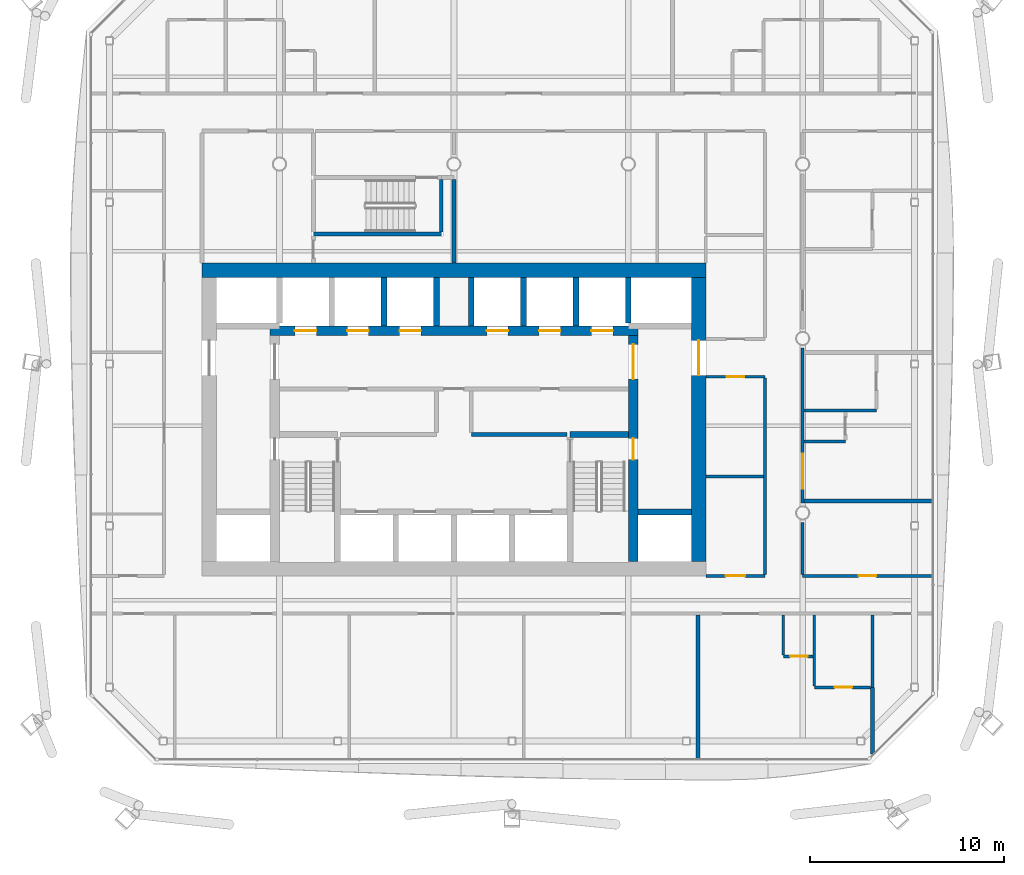
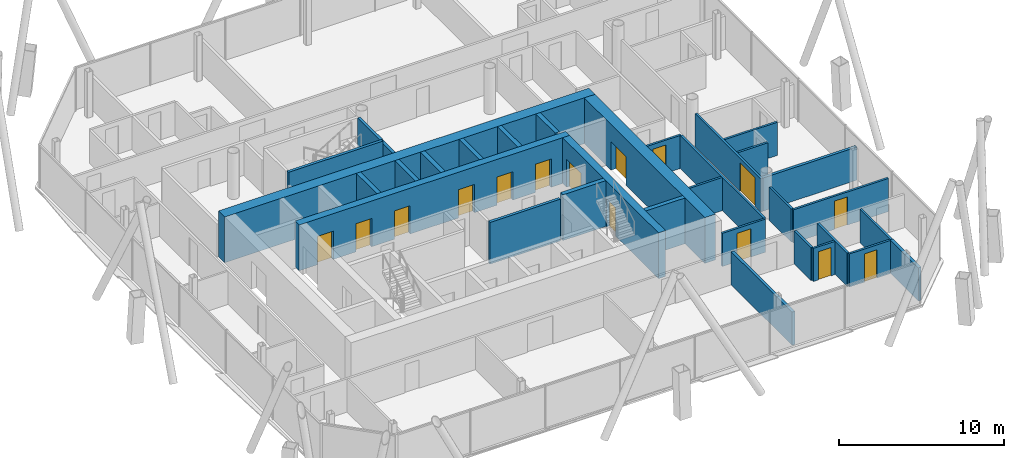
# One storey, part 15 of 20: 33 walls, 15 doors, 15 openings.
"""IFC4 building model written with IfcOpenShell, lengths in metres."""

from ifc_helpers import new_model, si_unit, direction, frame, frame_2d, origin, place, context, subcontext, project, spatial, rectangle, extrude, material, layer, layer_set, type_object, element, fill, save


model = new_model("IFC4")

# Units and contexts
model_context = context("Model", 3, precision=1e-05, world=origin(), true_north=direction((0.0, 1.0)))
body_context = subcontext(model_context, "Body", "Model", "MODEL_VIEW")
ifc_project = project(units=[si_unit("LENGTHUNIT", "METRE"), si_unit("AREAUNIT", "SQUARE_METRE"), si_unit("VOLUMEUNIT", "CUBIC_METRE"), si_unit("PLANEANGLEUNIT", "RADIAN"), si_unit("MASSUNIT", "GRAM", prefix="KILO")], contexts=[model_context])

# Site, building, storey
site_placement = place(None, origin())
site = spatial("IfcSite", under=ifc_project, at=site_placement, CompositionType="ELEMENT")
building_placement = place(site_placement, origin())
building = spatial("IfcBuilding", under=site, at=building_placement, Name="Tskaro Facet Tower", CompositionType="ELEMENT")
storey_placement = place(building_placement, frame((0.0, 0.0, 152.10009765625)))
storey = spatial("IfcBuildingStorey", under=building, at=storey_placement, Name="L37", CompositionType="ELEMENT", Elevation=152.10009765625)

# Walls
ifc_material_1 = material(Name="Concrete C60/75", Category="concrete")
ifc_layer_1 = layer(ifc_material_1, 0.300048828125, Name="Concrete C60/75")
ifc_layer_set_1 = layer_set([ifc_layer_1], Name="Concrete C60/75")
wall_type_1 = type_object("IfcWallType", Name="CORE-SHAFT", PredefinedType="SHEAR", material=ifc_layer_set_1)
wall_1_placement = place(storey_placement, frame((9.5, -8.949951171875, 0.0), z_axis=(0.0, 0.0, 1.0), x_axis=(1.0, 0.0, 0.0)))
element("IfcWall", 1, at=wall_1_placement, inside=storey, type_object=wall_type_1, Name="Shaft wall W010", PredefinedType="SHEAR", context=body_context, shape_type="SweptSolid", body=[
    extrude(rectangle(XDim=2.75, YDim=0.300048828125, at=frame_2d((1.375, 0.0))), origin(), (0.0, 0.0, 1.0), 3.39990234375),
])
wall_2_placement = place(storey_placement, frame((6.0, -4.949951171875, 0.0), z_axis=(0.0, 0.0, 1.0), x_axis=(1.0, 0.0, 0.0)))
element("IfcWall", 2, at=wall_2_placement, inside=storey, type_object=wall_type_1, Name="Shaft wall W017", PredefinedType="SHEAR", context=body_context, shape_type="SweptSolid", body=[
    extrude(rectangle(XDim=3.0, YDim=0.300048828125, at=frame_2d((1.5, 0.0))), origin(), (0.0, 0.0, 1.0), 3.39990234375),
])
for number, where, z_axis, x_axis, name in (
    (3, (-3.60009765625, 0.64990234375, 0.0), (0.0, 0.0, 1.0), (0.0, 1.0, 0.0), "Shaft wall W058"),
    (4, (-0.89990234375, 0.64990234375, 0.0), (0.0, 0.0, 1.0), (0.0, 1.0, 0.0), "Shaft wall W061"),
    (5, (0.89990234375, 0.64990234375, 0.0), (0.0, 0.0, 1.0), (0.0, 1.0, 0.0), "Shaft wall W067"),
    (6, (3.60009765625, 0.64990234375, 0.0), (0.0, 0.0, 1.0), (0.0, 1.0, 0.0), "Shaft wall W070"),
    (7, (6.300048828125, 0.64990234375, 0.0), (0.0, 0.0, 1.0), (0.0, 1.0, 0.0), "Shaft wall W072"),
):
    element("IfcWall", number, at=place(storey_placement, frame(where, z_axis=z_axis, x_axis=x_axis)), inside=storey, type_object=wall_type_1, Name=name, PredefinedType="SHEAR", context=body_context, shape_type="SweptSolid", body=[
        extrude(rectangle(XDim=2.5, YDim=0.300048828125, at=frame_2d((1.25, 0.0))), origin(), (0.0, 0.0, 1.0), 3.39990234375),
    ])
wall_3_placement = place(storey_placement, frame((9.0, 0.800048828125, 0.0), z_axis=(0.0, 0.0, 1.0), x_axis=(0.0, 1.0, 0.0)))
element("IfcWall", 8, at=wall_3_placement, inside=storey, type_object=wall_type_1, Name="Shaft wall W073", PredefinedType="SHEAR", context=body_context, shape_type="SweptSolid", body=[
    extrude(rectangle(XDim=2.349853515625, YDim=0.300048828125, at=frame_2d((1.1748046875, 0.0))), origin(), (0.0, 0.0, 1.0), 3.39990234375),
])
ifc_material_2 = material(Name="Concrete C20/25", Category="concrete")
ifc_layer_2 = layer(ifc_material_2, 0.199951171875, Name="Concrete C20/25")
ifc_layer_set_2 = layer_set([ifc_layer_2], Name="Concrete C20/25")
wall_type_2 = type_object("IfcWallType", Name="CORE-WALL", PredefinedType="SOLIDWALL", material=ifc_layer_set_2)
wall_4_placement = place(storey_placement, frame((0.89990234375, -4.949951171875, 0.0), z_axis=(0.0, 0.0, 1.0), x_axis=(1.0, 0.0, 0.0)))
element("IfcWall", 9, at=wall_4_placement, inside=storey, type_object=wall_type_2, Name="Core room wall W016", PredefinedType="SOLIDWALL", context=body_context, shape_type="SweptSolid", body=[
    extrude(rectangle(XDim=4.9501953125, YDim=0.199951171875, at=frame_2d((2.47509765625, 0.0))), origin(), (0.0, 0.0, 1.0), 3.099853515625),
])

# Wall, openings, doors
ifc_material_3 = material(Name="Concrete C40/50", Category="concrete")
ifc_layer_3 = layer(ifc_material_3, 0.5, Name="Concrete C40/50")
ifc_layer_set_3 = layer_set([ifc_layer_3], Name="Concrete C40/50")
wall_type_3 = type_object("IfcWallType", Name="Core wall 500", PredefinedType="SHEAR", material=ifc_layer_set_3)
wall_5_placement = place(storey_placement, frame((-9.5, 0.39990234375, 0.0), z_axis=(0.0, 0.0, 1.0), x_axis=(1.0, 0.0, 0.0)))
wall_5 = element("IfcWall", 10, at=wall_5_placement, inside=storey, type_object=wall_type_3, Name="Core wall CW-Z3N", PredefinedType="SHEAR", context=body_context, shape_type="SweptSolid", body=[
    extrude(rectangle(XDim=19.0, YDim=0.5, at=frame_2d((9.5, 0.0))), origin(), (0.0, 0.0, 1.0), 3.39990234375),
])
opening_1_placement = place(wall_5_placement, frame((1.300048828125, 0.0, 0.0)))
opening_1 = element("IfcOpeningElement", 11, at=opening_1_placement, cuts=wall_5, Name="Opening LD-MB1", PredefinedType="OPENING", context=body_context, shape_type="SweptSolid", body=[
    extrude(rectangle(XDim=1.10009765625, YDim=2.10009765625, at=frame_2d((0.550048828125, 1.050048828125))), frame((0.0, 0.260009765625, 0.0), z_axis=(0.0, -1.0, 0.0), x_axis=(1.0, 0.0, 0.0)), (0.0, 0.0, 1.0), 0.52001953125),
])
opening_2_placement = place(wall_5_placement, frame((4.0, 0.0, 0.0)))
opening_2 = element("IfcOpeningElement", 12, at=opening_2_placement, cuts=wall_5, Name="Opening LD-MB2", PredefinedType="OPENING", context=body_context, shape_type="SweptSolid", body=[
    extrude(rectangle(XDim=1.10009765625, YDim=2.10009765625, at=frame_2d((0.550048828125, 1.050048828125))), frame((0.0, 0.260009765625, 0.0), z_axis=(0.0, -1.0, 0.0), x_axis=(1.0, 0.0, 0.0)), (0.0, 0.0, 1.0), 0.52001953125),
])
opening_3_placement = place(wall_5_placement, frame((6.699951171875, 0.0, 0.0)))
opening_3 = element("IfcOpeningElement", 13, at=opening_3_placement, cuts=wall_5, Name="Opening LD-MB3", PredefinedType="OPENING", context=body_context, shape_type="SweptSolid", body=[
    extrude(rectangle(XDim=1.10009765625, YDim=2.10009765625, at=frame_2d((0.550048828125, 1.050048828125))), frame((0.0, 0.260009765625, 0.0), z_axis=(0.0, -1.0, 0.0), x_axis=(1.0, 0.0, 0.0)), (0.0, 0.0, 1.0), 0.52001953125),
])
opening_4_placement = place(wall_5_placement, frame((11.199951171875, 0.0, 0.0)))
opening_4 = element("IfcOpeningElement", 14, at=opening_4_placement, cuts=wall_5, Name="Opening LD-MB4", PredefinedType="OPENING", context=body_context, shape_type="SweptSolid", body=[
    extrude(rectangle(XDim=1.10009765625, YDim=2.10009765625, at=frame_2d((0.550048828125, 1.050048828125))), frame((0.0, 0.260009765625, 0.0), z_axis=(0.0, -1.0, 0.0), x_axis=(1.0, 0.0, 0.0)), (0.0, 0.0, 1.0), 0.52001953125),
])
opening_5_placement = place(wall_5_placement, frame((13.89990234375, 0.0, 0.0)))
opening_5 = element("IfcOpeningElement", 15, at=opening_5_placement, cuts=wall_5, Name="Opening LD-MB5", PredefinedType="OPENING", context=body_context, shape_type="SweptSolid", body=[
    extrude(rectangle(XDim=1.10009765625, YDim=2.10009765625, at=frame_2d((0.550048828125, 1.050048828125))), frame((0.0, 0.260009765625, 0.0), z_axis=(0.0, -1.0, 0.0), x_axis=(1.0, 0.0, 0.0)), (0.0, 0.0, 1.0), 0.52001953125),
])
opening_6_placement = place(wall_5_placement, frame((16.60009765625, 0.0, 0.0)))
opening_6 = element("IfcOpeningElement", 16, at=opening_6_placement, cuts=wall_5, Name="Opening LD-MB6", PredefinedType="OPENING", context=body_context, shape_type="SweptSolid", body=[
    extrude(rectangle(XDim=1.10009765625, YDim=2.10009765625, at=frame_2d((0.550048828125, 1.050048828125))), frame((0.0, 0.260009765625, 0.0), z_axis=(0.0, -1.0, 0.0), x_axis=(1.0, 0.0, 0.0)), (0.0, 0.0, 1.0), 0.52001953125),
])
ifc_material_4 = material(Name="Stainless steel", Category="steel")
door_type_1 = type_object("IfcDoorType", Name="D-LANDING", OperationType="NOTDEFINED", PredefinedType="DOOR", material=ifc_material_4)
door_1_placement = place(opening_1_placement, origin())
door_1 = element("IfcDoor", 17, at=door_1_placement, inside=storey, type_object=door_type_1, Name="Landing door MB1", OperationType="DOUBLE_DOOR_SLIDING", OverallHeight=2.10009765625, OverallWidth=1.10009765625, PredefinedType="DOOR", context=body_context, shape_type="SweptSolid", body=[
    extrude(rectangle(XDim=1.10009765625, YDim=2.10009765625, at=frame_2d((0.550048828125, 1.050048828125))), frame((0.0, 0.02490234375, 0.0), z_axis=(0.0, -1.0, 0.0), x_axis=(1.0, 0.0, 0.0)), (0.0, 0.0, 1.0), 0.050048828125),
])
fill(opening_1, door_1)
door_2_placement = place(opening_2_placement, origin())
door_2 = element("IfcDoor", 18, at=door_2_placement, inside=storey, type_object=door_type_1, Name="Landing door MB2", OperationType="DOUBLE_DOOR_SLIDING", OverallHeight=2.10009765625, OverallWidth=1.10009765625, PredefinedType="DOOR", context=body_context, shape_type="SweptSolid", body=[
    extrude(rectangle(XDim=1.10009765625, YDim=2.10009765625, at=frame_2d((0.550048828125, 1.050048828125))), frame((0.0, 0.02490234375, 0.0), z_axis=(0.0, -1.0, 0.0), x_axis=(1.0, 0.0, 0.0)), (0.0, 0.0, 1.0), 0.050048828125),
])
fill(opening_2, door_2)
door_3_placement = place(opening_3_placement, origin())
door_3 = element("IfcDoor", 19, at=door_3_placement, inside=storey, type_object=door_type_1, Name="Landing door MB3", OperationType="DOUBLE_DOOR_SLIDING", OverallHeight=2.10009765625, OverallWidth=1.10009765625, PredefinedType="DOOR", context=body_context, shape_type="SweptSolid", body=[
    extrude(rectangle(XDim=1.10009765625, YDim=2.10009765625, at=frame_2d((0.550048828125, 1.050048828125))), frame((0.0, 0.02490234375, 0.0), z_axis=(0.0, -1.0, 0.0), x_axis=(1.0, 0.0, 0.0)), (0.0, 0.0, 1.0), 0.050048828125),
])
fill(opening_3, door_3)
door_4_placement = place(opening_4_placement, origin())
door_4 = element("IfcDoor", 20, at=door_4_placement, inside=storey, type_object=door_type_1, Name="Landing door MB4", OperationType="DOUBLE_DOOR_SLIDING", OverallHeight=2.10009765625, OverallWidth=1.10009765625, PredefinedType="DOOR", context=body_context, shape_type="SweptSolid", body=[
    extrude(rectangle(XDim=1.10009765625, YDim=2.10009765625, at=frame_2d((0.550048828125, 1.050048828125))), frame((0.0, 0.02490234375, 0.0), z_axis=(0.0, -1.0, 0.0), x_axis=(1.0, 0.0, 0.0)), (0.0, 0.0, 1.0), 0.050048828125),
])
fill(opening_4, door_4)
door_5_placement = place(opening_5_placement, origin())
door_5 = element("IfcDoor", 21, at=door_5_placement, inside=storey, type_object=door_type_1, Name="Landing door MB5", OperationType="DOUBLE_DOOR_SLIDING", OverallHeight=2.10009765625, OverallWidth=1.10009765625, PredefinedType="DOOR", context=body_context, shape_type="SweptSolid", body=[
    extrude(rectangle(XDim=1.10009765625, YDim=2.10009765625, at=frame_2d((0.550048828125, 1.050048828125))), frame((0.0, 0.02490234375, 0.0), z_axis=(0.0, -1.0, 0.0), x_axis=(1.0, 0.0, 0.0)), (0.0, 0.0, 1.0), 0.050048828125),
])
fill(opening_5, door_5)
door_6_placement = place(opening_6_placement, origin())
door_6 = element("IfcDoor", 22, at=door_6_placement, inside=storey, type_object=door_type_1, Name="Landing door MB6", OperationType="DOUBLE_DOOR_SLIDING", OverallHeight=2.10009765625, OverallWidth=1.10009765625, PredefinedType="DOOR", context=body_context, shape_type="SweptSolid", body=[
    extrude(rectangle(XDim=1.10009765625, YDim=2.10009765625, at=frame_2d((0.550048828125, 1.050048828125))), frame((0.0, 0.02490234375, 0.0), z_axis=(0.0, -1.0, 0.0), x_axis=(1.0, 0.0, 0.0)), (0.0, 0.0, 1.0), 0.050048828125),
])
fill(opening_6, door_6)

wall_6_placement = place(storey_placement, frame((9.25, -11.5, 0.0), z_axis=(0.0, 0.0, 1.0), x_axis=(0.0, 1.0, 0.0)))
wall_6 = element("IfcWall", 23, at=wall_6_placement, inside=storey, type_object=wall_type_3, Name="Core wall CW-Z3E", PredefinedType="SHEAR", context=body_context, shape_type="SweptSolid", body=[
    extrude(rectangle(XDim=11.64990234375, YDim=0.5, at=frame_2d((5.824951171875, 0.0))), origin(), (0.0, 0.0, 1.0), 3.39990234375),
])
opening_7_placement = place(wall_6_placement, frame((9.39990234375, 0.0, 0.0)))
opening_7 = element("IfcOpeningElement", 24, at=opening_7_placement, cuts=wall_6, Name="Opening T11-D22", PredefinedType="OPENING", context=body_context, shape_type="SweptSolid", body=[
    extrude(rectangle(XDim=1.800048828125, YDim=2.10009765625, at=frame_2d((0.89990234375, 1.050048828125))), frame((0.0, 0.260009765625, 0.0), z_axis=(0.0, -1.0, 0.0), x_axis=(1.0, 0.0, 0.0)), (0.0, 0.0, 1.0), 0.52001953125),
])
opening_8_placement = place(wall_6_placement, frame((5.25, 0.0, 0.0)))
opening_8 = element("IfcOpeningElement", 25, at=opening_8_placement, cuts=wall_6, Name="Opening ST-2-D2", PredefinedType="OPENING", context=body_context, shape_type="SweptSolid", body=[
    extrude(rectangle(XDim=1.10009765625, YDim=2.10009765625, at=frame_2d((0.550048828125, 1.050048828125))), frame((0.0, 0.260009765625, 0.0), z_axis=(0.0, -1.0, 0.0), x_axis=(1.0, 0.0, 0.0)), (0.0, 0.0, 1.0), 0.52001953125),
])
ifc_material_5 = material(Name="Steel", Category="steel")
door_type_2 = type_object("IfcDoorType", Name="D-CORE-PAIR", OperationType="NOTDEFINED", PredefinedType="DOOR", material=ifc_material_5)
door_7_placement = place(opening_7_placement, origin())
door_7 = element("IfcDoor", 26, at=door_7_placement, inside=storey, type_object=door_type_2, Name="Door T11-D22", OperationType="DOUBLE_DOOR_SINGLE_SWING", OverallHeight=2.10009765625, OverallWidth=1.800048828125, PredefinedType="DOOR", context=body_context, shape_type="SweptSolid", body=[
    extrude(rectangle(XDim=1.800048828125, YDim=2.10009765625, at=frame_2d((0.89990234375, 1.050048828125))), frame((0.0, 0.02490234375, 0.0), z_axis=(0.0, -1.0, 0.0), x_axis=(1.0, 0.0, 0.0)), (0.0, 0.0, 1.0), 0.050048828125),
])
fill(opening_7, door_7)
door_type_3 = type_object("IfcDoorType", Name="D-STAIR", OperationType="NOTDEFINED", PredefinedType="DOOR", material=ifc_material_5)
door_8_placement = place(opening_8_placement, origin())
door_8 = element("IfcDoor", 27, at=door_8_placement, inside=storey, type_object=door_type_3, Name="Stair door 2 east", OperationType="SINGLE_SWING_LEFT", OverallHeight=2.10009765625, OverallWidth=1.10009765625, PredefinedType="DOOR", context=body_context, shape_type="SweptSolid", body=[
    extrude(rectangle(XDim=1.10009765625, YDim=2.10009765625, at=frame_2d((0.550048828125, 1.050048828125))), frame((0.0, 0.02490234375, 0.0), z_axis=(0.0, -1.0, 0.0), x_axis=(1.0, 0.0, 0.0)), (0.0, 0.0, 1.0), 0.050048828125),
])
fill(opening_8, door_8)

# Wall
ifc_material_6 = material(Name="Concrete C50/60", Category="concrete")
ifc_layer_4 = layer(ifc_material_6, 0.75, Name="Concrete C50/60")
ifc_layer_set_4 = layer_set([ifc_layer_4], Name="Concrete C50/60")
wall_type_4 = type_object("IfcWallType", Name="Core wall 750", PredefinedType="SHEAR", material=ifc_layer_set_4)
wall_7_placement = place(storey_placement, frame((-13.0, 3.52490234375, 0.0), z_axis=(0.0, 0.0, 1.0), x_axis=(1.0, 0.0, 0.0)))
element("IfcWall", 28, at=wall_7_placement, inside=storey, type_object=wall_type_4, Name="Core wall CW-Z2N", PredefinedType="SHEAR", context=body_context, shape_type="SweptSolid", body=[
    extrude(rectangle(XDim=26.0, YDim=0.75, at=frame_2d((13.0, 0.0))), origin(), (0.0, 0.0, 1.0), 3.39990234375),
])

# Wall, opening, door
wall_8_placement = place(storey_placement, frame((12.625, -11.5, 0.0), z_axis=(0.0, 0.0, 1.0), x_axis=(0.0, 1.0, 0.0)))
wall_8 = element("IfcWall", 29, at=wall_8_placement, inside=storey, type_object=wall_type_4, Name="Core wall CW-Z2E", PredefinedType="SHEAR", context=body_context, shape_type="SweptSolid", body=[
    extrude(rectangle(XDim=14.64990234375, YDim=0.75, at=frame_2d((7.324951171875, 0.0))), origin(), (0.0, 0.0, 1.0), 3.39990234375),
])
opening_9_placement = place(wall_8_placement, frame((9.60009765625, 0.0, 0.0)))
opening_9 = element("IfcOpeningElement", 30, at=opening_9_placement, cuts=wall_8, Name="Opening T11-D24", PredefinedType="OPENING", context=body_context, shape_type="SweptSolid", body=[
    extrude(rectangle(XDim=1.800048828125, YDim=2.10009765625, at=frame_2d((0.89990234375, 1.050048828125))), frame((0.0, 0.385009765625, 0.0), z_axis=(0.0, -1.0, 0.0), x_axis=(1.0, 0.0, 0.0)), (0.0, 0.0, 1.0), 0.77001953125),
])
door_9_placement = place(opening_9_placement, origin())
door_9 = element("IfcDoor", 31, at=door_9_placement, inside=storey, type_object=door_type_2, Name="Door T11-D24", OperationType="DOUBLE_DOOR_SINGLE_SWING", OverallHeight=2.10009765625, OverallWidth=1.800048828125, PredefinedType="DOOR", context=body_context, shape_type="SweptSolid", body=[
    extrude(rectangle(XDim=1.800048828125, YDim=2.10009765625, at=frame_2d((0.89990234375, 1.050048828125))), frame((0.0, 0.02490234375, 0.0), z_axis=(0.0, -1.0, 0.0), x_axis=(1.0, 0.0, 0.0)), (0.0, 0.0, 1.0), 0.050048828125),
])
fill(opening_9, door_9)

ifc_material_7 = material(Name="Gypsum board on steel studs", Category="steel")
ifc_layer_5 = layer(ifc_material_7, 0.14990234375, Name="Gypsum board on steel studs")
ifc_layer_set_5 = layer_set([ifc_layer_5], Name="Gypsum board on steel studs")
wall_type_5 = type_object("IfcWallType", Name="PART-CORR", PredefinedType="PARTITIONING", material=ifc_layer_set_5)
wall_9_placement = place(storey_placement, frame((18.59912109375, -18.0, 0.0), z_axis=(0.0, 0.0, 1.0), x_axis=(1.0, 0.0, 0.0)))
wall_9 = element("IfcWall", 32, at=wall_9_placement, inside=storey, type_object=wall_type_5, Name="Corridor wall W001", PredefinedType="PARTITIONING", context=body_context, shape_type="SweptSolid", body=[
    extrude(rectangle(XDim=2.89990234375, YDim=0.14990234375, at=frame_2d((1.449951171875, 0.0))), origin(), (0.0, 0.0, 1.0), 2.4599609375),
])
opening_10_placement = place(wall_9_placement, frame((1.050048828125, 0.0, 0.0)))
opening_10 = element("IfcOpeningElement", 33, at=opening_10_placement, cuts=wall_9, Name="Opening T11-D01", PredefinedType="OPENING", context=body_context, shape_type="SweptSolid", body=[
    extrude(rectangle(XDim=0.89990234375, YDim=2.10009765625, at=frame_2d((0.449951171875, 1.050048828125))), frame((0.0, 0.0849609375, 0.0), z_axis=(0.0, -1.0, 0.0), x_axis=(1.0, 0.0, 0.0)), (0.0, 0.0, 1.0), 0.169921875),
])
ifc_material_8 = material(Name="Timber", Category="wood")
door_type_4 = type_object("IfcDoorType", Name="D-ROOM", OperationType="NOTDEFINED", PredefinedType="DOOR", material=ifc_material_8)
door_10_placement = place(opening_10_placement, origin())
door_10 = element("IfcDoor", 34, at=door_10_placement, inside=storey, type_object=door_type_4, Name="Door T11-D01", OperationType="SINGLE_SWING_LEFT", OverallHeight=2.10009765625, OverallWidth=0.89990234375, PredefinedType="DOOR", context=body_context, shape_type="SweptSolid", body=[
    extrude(rectangle(XDim=0.89990234375, YDim=2.10009765625, at=frame_2d((0.449951171875, 1.050048828125))), frame((0.0, 0.02490234375, 0.0), z_axis=(0.0, -1.0, 0.0), x_axis=(1.0, 0.0, 0.0)), (0.0, 0.0, 1.0), 0.050048828125),
])
fill(opening_10, door_10)

wall_10_placement = place(storey_placement, frame((16.9990234375, -16.39990234375, 0.0), z_axis=(0.0, 0.0, 1.0), x_axis=(1.0, 0.0, 0.0)))
wall_10 = element("IfcWall", 35, at=wall_10_placement, inside=storey, type_object=wall_type_5, Name="Corridor wall W002", PredefinedType="PARTITIONING", context=body_context, shape_type="SweptSolid", body=[
    extrude(rectangle(XDim=1.52490234375, YDim=0.14990234375, at=frame_2d((0.762451171875, 0.0))), origin(), (0.0, 0.0, 1.0), 2.4599609375),
])
opening_11_placement = place(wall_10_placement, frame((0.35009765625, 0.0, 0.0)))
opening_11 = element("IfcOpeningElement", 36, at=opening_11_placement, cuts=wall_10, Name="Opening T11-D02", PredefinedType="OPENING", context=body_context, shape_type="SweptSolid", body=[
    extrude(rectangle(XDim=0.89990234375, YDim=2.10009765625, at=frame_2d((0.449951171875, 1.050048828125))), frame((0.0, 0.0849609375, 0.0), z_axis=(0.0, -1.0, 0.0), x_axis=(1.0, 0.0, 0.0)), (0.0, 0.0, 1.0), 0.169921875),
])
door_11_placement = place(opening_11_placement, origin())
door_11 = element("IfcDoor", 37, at=door_11_placement, inside=storey, type_object=door_type_4, Name="Door T11-D02", OperationType="SINGLE_SWING_LEFT", OverallHeight=2.10009765625, OverallWidth=0.89990234375, PredefinedType="DOOR", context=body_context, shape_type="SweptSolid", body=[
    extrude(rectangle(XDim=0.89990234375, YDim=2.10009765625, at=frame_2d((0.449951171875, 1.050048828125))), frame((0.0, 0.02490234375, 0.0), z_axis=(0.0, -1.0, 0.0), x_axis=(1.0, 0.0, 0.0)), (0.0, 0.0, 1.0), 0.050048828125),
])
fill(opening_11, door_11)

wall_11_placement = place(storey_placement, frame((13.0, -12.25, 0.0), z_axis=(0.0, 0.0, 1.0), x_axis=(1.0, 0.0, 0.0)))
wall_11 = element("IfcWall", 38, at=wall_11_placement, inside=storey, type_object=wall_type_5, Name="Corridor wall W005", PredefinedType="PARTITIONING", context=body_context, shape_type="SweptSolid", body=[
    extrude(rectangle(XDim=3.050048828125, YDim=0.14990234375, at=frame_2d((1.52490234375, 0.0))), origin(), (0.0, 0.0, 1.0), 2.4599609375),
])
opening_12_placement = place(wall_11_placement, frame((1.02490234375, 0.0, 0.0)))
opening_12 = element("IfcOpeningElement", 39, at=opening_12_placement, cuts=wall_11, Name="Opening T11-D10", PredefinedType="OPENING", context=body_context, shape_type="SweptSolid", body=[
    extrude(rectangle(XDim=1.0, YDim=2.10009765625, at=frame_2d((0.5, 1.050048828125))), frame((0.0, 0.0849609375, 0.0), z_axis=(0.0, -1.0, 0.0), x_axis=(1.0, 0.0, 0.0)), (0.0, 0.0, 1.0), 0.169921875),
])
door_type_5 = type_object("IfcDoorType", Name="D-ROOM-WIDE", OperationType="NOTDEFINED", PredefinedType="DOOR", material=ifc_material_8)
door_12_placement = place(opening_12_placement, origin())
door_12 = element("IfcDoor", 40, at=door_12_placement, inside=storey, type_object=door_type_5, Name="Door T11-D10", OperationType="SINGLE_SWING_LEFT", OverallHeight=2.10009765625, OverallWidth=1.0, PredefinedType="DOOR", context=body_context, shape_type="SweptSolid", body=[
    extrude(rectangle(XDim=1.0, YDim=2.10009765625, at=frame_2d((0.5, 1.050048828125))), frame((0.0, 0.02490234375, 0.0), z_axis=(0.0, -1.0, 0.0), x_axis=(1.0, 0.0, 0.0)), (0.0, 0.0, 1.0), 0.050048828125),
])
fill(opening_12, door_12)

wall_12_placement = place(storey_placement, frame((18.0, -12.25, 0.0), z_axis=(0.0, 0.0, 1.0), x_axis=(1.0, 0.0, 0.0)))
wall_12 = element("IfcWall", 41, at=wall_12_placement, inside=storey, type_object=wall_type_5, Name="Corridor wall W006", PredefinedType="PARTITIONING", context=body_context, shape_type="SweptSolid", body=[
    extrude(rectangle(XDim=6.674072265625, YDim=0.14990234375, at=frame_2d((3.3369140625, 0.0))), origin(), (0.0, 0.0, 1.0), 2.4599609375),
])
opening_13_placement = place(wall_12_placement, frame((2.886962890625, 0.0, 0.0)))
opening_13 = element("IfcOpeningElement", 42, at=opening_13_placement, cuts=wall_12, Name="Opening T11-D11", PredefinedType="OPENING", context=body_context, shape_type="SweptSolid", body=[
    extrude(rectangle(XDim=0.89990234375, YDim=2.10009765625, at=frame_2d((0.449951171875, 1.050048828125))), frame((0.0, 0.0849609375, 0.0), z_axis=(0.0, -1.0, 0.0), x_axis=(1.0, 0.0, 0.0)), (0.0, 0.0, 1.0), 0.169921875),
])
door_13_placement = place(opening_13_placement, origin())
door_13 = element("IfcDoor", 43, at=door_13_placement, inside=storey, type_object=door_type_4, Name="Door T11-D11", OperationType="SINGLE_SWING_LEFT", OverallHeight=2.10009765625, OverallWidth=0.89990234375, PredefinedType="DOOR", context=body_context, shape_type="SweptSolid", body=[
    extrude(rectangle(XDim=0.89990234375, YDim=2.10009765625, at=frame_2d((0.449951171875, 1.050048828125))), frame((0.0, 0.02490234375, 0.0), z_axis=(0.0, -1.0, 0.0), x_axis=(1.0, 0.0, 0.0)), (0.0, 0.0, 1.0), 0.050048828125),
])
fill(opening_13, door_13)

# Walls
wall_13_placement = place(storey_placement, frame((13.0, -7.112060546875, 0.0), z_axis=(0.0, 0.0, 1.0), x_axis=(1.0, 0.0, 0.0)))
element("IfcWall", 44, at=wall_13_placement, inside=storey, type_object=wall_type_5, Name="Corridor wall W012", PredefinedType="PARTITIONING", context=body_context, shape_type="SweptSolid", body=[
    extrude(rectangle(XDim=2.97509765625, YDim=0.14990234375, at=frame_2d((1.487548828125, 0.0))), origin(), (0.0, 0.0, 1.0), 2.4599609375),
])
wall_14_placement = place(storey_placement, frame((18.074951171875, -5.31591796875, 0.0), z_axis=(0.0, 0.0, 1.0), x_axis=(1.0, 0.0, 0.0)))
element("IfcWall", 45, at=wall_14_placement, inside=storey, type_object=wall_type_5, Name="Corridor wall W013", PredefinedType="PARTITIONING", context=body_context, shape_type="SweptSolid", body=[
    extrude(rectangle(XDim=2.125, YDim=0.14990234375, at=frame_2d((1.0625, 0.0))), origin(), (0.0, 0.0, 1.0), 2.4599609375),
])
wall_15_placement = place(storey_placement, frame((18.074951171875, -3.716064453125, 0.0), z_axis=(0.0, 0.0, 1.0), x_axis=(1.0, 0.0, 0.0)))
element("IfcWall", 46, at=wall_15_placement, inside=storey, type_object=wall_type_5, Name="Corridor wall W018", PredefinedType="PARTITIONING", context=body_context, shape_type="SweptSolid", body=[
    extrude(rectangle(XDim=3.72509765625, YDim=0.14990234375, at=frame_2d((1.862548828125, 0.0))), origin(), (0.0, 0.0, 1.0), 2.4599609375),
])

# Wall, opening, door
wall_16_placement = place(storey_placement, frame((16.050048828125, -1.97509765625, 0.0), z_axis=(0.0, 0.0, 1.0), x_axis=(-1.0, 0.0, 0.0)))
wall_16 = element("IfcWall", 47, at=wall_16_placement, inside=storey, type_object=wall_type_5, Name="Corridor wall W020", PredefinedType="PARTITIONING", context=body_context, shape_type="SweptSolid", body=[
    extrude(rectangle(XDim=3.050048828125, YDim=0.14990234375, at=frame_2d((1.52490234375, 0.0))), origin(), (0.0, 0.0, 1.0), 2.4599609375),
])
opening_14_placement = place(wall_16_placement, frame((1.074951171875, 0.0, 0.0)))
opening_14 = element("IfcOpeningElement", 48, at=opening_14_placement, cuts=wall_16, Name="Opening T11-D20", PredefinedType="OPENING", context=body_context, shape_type="SweptSolid", body=[
    extrude(rectangle(XDim=0.89990234375, YDim=2.10009765625, at=frame_2d((0.449951171875, 1.050048828125))), frame((0.0, 0.0849609375, 0.0), z_axis=(0.0, -1.0, 0.0), x_axis=(1.0, 0.0, 0.0)), (0.0, 0.0, 1.0), 0.169921875),
])
door_14_placement = place(opening_14_placement, origin())
door_14 = element("IfcDoor", 49, at=door_14_placement, inside=storey, type_object=door_type_4, Name="Door T11-D20", OperationType="SINGLE_SWING_RIGHT", OverallHeight=2.10009765625, OverallWidth=0.89990234375, PredefinedType="DOOR", context=body_context, shape_type="SweptSolid", body=[
    extrude(rectangle(XDim=0.89990234375, YDim=2.10009765625, at=frame_2d((0.449951171875, 1.050048828125))), frame((0.0, 0.02490234375, 0.0), z_axis=(0.0, -1.0, 0.0), x_axis=(1.0, 0.0, 0.0)), (0.0, 0.0, 1.0), 0.050048828125),
])
fill(opening_14, door_14)

# Walls
wall_17_placement = place(storey_placement, frame((16.050048828125, -12.175048828125, 0.0), z_axis=(0.0, 0.0, 1.0), x_axis=(0.0, 1.0, 0.0)))
element("IfcWall", 50, at=wall_17_placement, inside=storey, type_object=wall_type_5, Name="Corridor wall W081", PredefinedType="PARTITIONING", context=body_context, shape_type="SweptSolid", body=[
    extrude(rectangle(XDim=10.125, YDim=0.14990234375, at=frame_2d((5.0625, 0.0))), origin(), (0.0, 0.0, 1.0), 2.4599609375),
])
wall_18_placement = place(storey_placement, frame((16.9990234375, -16.324951171875, 0.0), z_axis=(0.0, 0.0, 1.0), x_axis=(0.0, 1.0, 0.0)))
element("IfcWall", 51, at=wall_18_placement, inside=storey, type_object=wall_type_5, Name="Corridor wall W083", PredefinedType="PARTITIONING", context=body_context, shape_type="SweptSolid", body=[
    extrude(rectangle(XDim=2.050048828125, YDim=0.14990234375, at=frame_2d((1.02490234375, 0.0))), origin(), (0.0, 0.0, 1.0), 2.4599609375),
])
wall_19_placement = place(storey_placement, frame((18.0, -12.175048828125, 0.0), z_axis=(0.0, 0.0, 1.0), x_axis=(0.0, 1.0, 0.0)))
element("IfcWall", 52, at=wall_19_placement, inside=storey, type_object=wall_type_5, Name="Corridor wall W084", PredefinedType="PARTITIONING", context=body_context, shape_type="SweptSolid", body=[
    extrude(rectangle(XDim=2.675048828125, YDim=0.14990234375, at=frame_2d((1.33740234375, 0.0))), origin(), (0.0, 0.0, 1.0), 2.4599609375),
])

# Wall, opening, door
wall_20_placement = place(storey_placement, frame((18.0, -0.5, 0.0), z_axis=(0.0, 0.0, 1.0), x_axis=(0.0, -1.0, 0.0)))
wall_20 = element("IfcWall", 53, at=wall_20_placement, inside=storey, type_object=wall_type_5, Name="Corridor wall W085", PredefinedType="PARTITIONING", context=body_context, shape_type="SweptSolid", body=[
    extrude(rectangle(XDim=8.0, YDim=0.14990234375, at=frame_2d((4.0, 0.0))), origin(), (0.0, 0.0, 1.0), 2.4599609375),
])
opening_15_placement = place(wall_20_placement, frame((5.447998046875, 0.0, 0.0)))
opening_15 = element("IfcOpeningElement", 54, at=opening_15_placement, cuts=wall_20, Name="Opening T11-D14", PredefinedType="OPENING", context=body_context, shape_type="SweptSolid", body=[
    extrude(rectangle(XDim=1.800048828125, YDim=2.10009765625, at=frame_2d((0.89990234375, 1.050048828125))), frame((0.0, 0.0849609375, 0.0), z_axis=(0.0, -1.0, 0.0), x_axis=(1.0, 0.0, 0.0)), (0.0, 0.0, 1.0), 0.169921875),
])
door_type_6 = type_object("IfcDoorType", Name="D-SUITE-PAIR", OperationType="NOTDEFINED", PredefinedType="DOOR", material=ifc_material_8)
door_15_placement = place(opening_15_placement, origin())
door_15 = element("IfcDoor", 55, at=door_15_placement, inside=storey, type_object=door_type_6, Name="Door T11-D14", OperationType="DOUBLE_DOOR_SINGLE_SWING", OverallHeight=2.10009765625, OverallWidth=1.800048828125, PredefinedType="DOOR", context=body_context, shape_type="SweptSolid", body=[
    extrude(rectangle(XDim=1.800048828125, YDim=2.10009765625, at=frame_2d((0.89990234375, 1.050048828125))), frame((0.0, 0.02490234375, 0.0), z_axis=(0.0, -1.0, 0.0), x_axis=(1.0, 0.0, 0.0)), (0.0, 0.0, 1.0), 0.050048828125),
])
fill(opening_15, door_15)

# Walls
wall_21_placement = place(storey_placement, frame((18.59912109375, -17.925048828125, 0.0), z_axis=(0.0, 0.0, 1.0), x_axis=(0.0, 1.0, 0.0)))
element("IfcWall", 56, at=wall_21_placement, inside=storey, type_object=wall_type_5, Name="Corridor wall W088", PredefinedType="PARTITIONING", context=body_context, shape_type="SweptSolid", body=[
    extrude(rectangle(XDim=3.650146484375, YDim=0.14990234375, at=frame_2d((1.8251953125, 0.0))), origin(), (0.0, 0.0, 1.0), 2.4599609375),
])
wall_22_placement = place(storey_placement, frame((21.59912109375, -18.0, 0.0), z_axis=(0.0, 0.0, 1.0), x_axis=(0.0, 1.0, 0.0)))
element("IfcWall", 57, at=wall_22_placement, inside=storey, type_object=wall_type_5, Name="Corridor wall W092", PredefinedType="PARTITIONING", context=body_context, shape_type="SweptSolid", body=[
    extrude(rectangle(XDim=3.72509765625, YDim=0.14990234375, at=frame_2d((1.862548828125, 0.0))), origin(), (0.0, 0.0, 1.0), 2.4599609375),
])
ifc_layer_6 = layer(ifc_material_7, 0.199951171875, Name="Gypsum board on steel studs")
ifc_layer_set_6 = layer_set([ifc_layer_6], Name="Gypsum board on steel studs")
wall_type_6 = type_object("IfcWallType", Name="PART-DEMISING", PredefinedType="PARTITIONING", material=ifc_layer_set_6)
wall_23_placement = place(storey_placement, frame((18.074951171875, -8.3798828125, 0.0), z_axis=(0.0, 0.0, 1.0), x_axis=(1.0, 0.0, 0.0)))
element("IfcWall", 58, at=wall_23_placement, inside=storey, type_object=wall_type_6, Name="Guest room wall W011", PredefinedType="PARTITIONING", context=body_context, shape_type="SweptSolid", body=[
    extrude(rectangle(XDim=6.59912109375, YDim=0.199951171875, at=frame_2d((3.299560546875, 0.0))), origin(), (0.0, 0.0, 1.0), 2.4599609375),
])
wall_24_placement = place(storey_placement, frame((12.60009765625, -21.674072265625, 0.0), z_axis=(0.0, 0.0, 1.0), x_axis=(0.0, 1.0, 0.0)))
element("IfcWall", 59, at=wall_24_placement, inside=storey, type_object=wall_type_6, Name="Guest room wall W076", PredefinedType="PARTITIONING", context=body_context, shape_type="SweptSolid", body=[
    extrude(rectangle(XDim=7.399169921875, YDim=0.199951171875, at=frame_2d((3.69970703125, 0.0))), origin(), (0.0, 0.0, 1.0), 2.4599609375),
])
wall_25_placement = place(storey_placement, frame((21.59912109375, -21.447021484375, 0.0), z_axis=(0.0, 0.0, 1.0), x_axis=(0.0, 1.0, 0.0)))
element("IfcWall", 60, at=wall_25_placement, inside=storey, type_object=wall_type_6, Name="Guest room wall W091", PredefinedType="PARTITIONING", context=body_context, shape_type="SweptSolid", body=[
    extrude(rectangle(XDim=3.447021484375, YDim=0.199951171875, at=frame_2d((1.7236328125, 0.0))), origin(), (0.0, 0.0, 1.0), 2.4599609375),
])
ifc_layer_7 = layer(ifc_material_1, 0.199951171875, Name="Concrete C60/75")
ifc_layer_set_7 = layer_set([ifc_layer_7], Name="Concrete C60/75")
wall_type_7 = type_object("IfcWallType", Name="STAIR-WALL", PredefinedType="SHEAR", material=ifc_layer_set_7)
wall_26_placement = place(storey_placement, frame((-7.25, 5.39990234375, 0.0), z_axis=(0.0, 0.0, 1.0), x_axis=(1.0, 0.0, 0.0)))
element("IfcWall", 61, at=wall_26_placement, inside=storey, type_object=wall_type_7, Name="Stair wall W028", PredefinedType="SHEAR", context=body_context, shape_type="SweptSolid", body=[
    extrude(rectangle(XDim=6.60009765625, YDim=0.199951171875, at=frame_2d((3.300048828125, 0.0))), origin(), (0.0, 0.0, 1.0), 3.39990234375),
])
wall_27_placement = place(storey_placement, frame((-0.64990234375, 5.5, 0.0), z_axis=(0.0, 0.0, 1.0), x_axis=(0.0, 1.0, 0.0)))
element("IfcWall", 62, at=wall_27_placement, inside=storey, type_object=wall_type_7, Name="Stair wall W062", PredefinedType="SHEAR", context=body_context, shape_type="SweptSolid", body=[
    extrude(rectangle(XDim=2.699951171875, YDim=0.199951171875, at=frame_2d((1.35009765625, 0.0))), origin(), (0.0, 0.0, 1.0), 3.39990234375),
])
ifc_layer_8 = layer(ifc_material_2, 0.199951171875, Name="Concrete C20/25")
ifc_layer_set_8 = layer_set([ifc_layer_8], Name="Concrete C20/25")
wall_type_8 = type_object("IfcWallType", Name="WALL-RISER", PredefinedType="SOLIDWALL", material=ifc_layer_set_8)
wall_28_placement = place(storey_placement, frame((0.0, 3.89990234375, 0.0), z_axis=(0.0, 0.0, 1.0), x_axis=(0.0, 1.0, 0.0)))
element("IfcWall", 63, at=wall_28_placement, inside=storey, type_object=wall_type_8, Name="Riser room wall W064", PredefinedType="SOLIDWALL", context=body_context, shape_type="SweptSolid", body=[
    extrude(rectangle(XDim=4.300048828125, YDim=0.199951171875, at=frame_2d((2.14990234375, 0.0))), origin(), (0.0, 0.0, 1.0), 2.4599609375),
])

save(model, "model.ifc")
